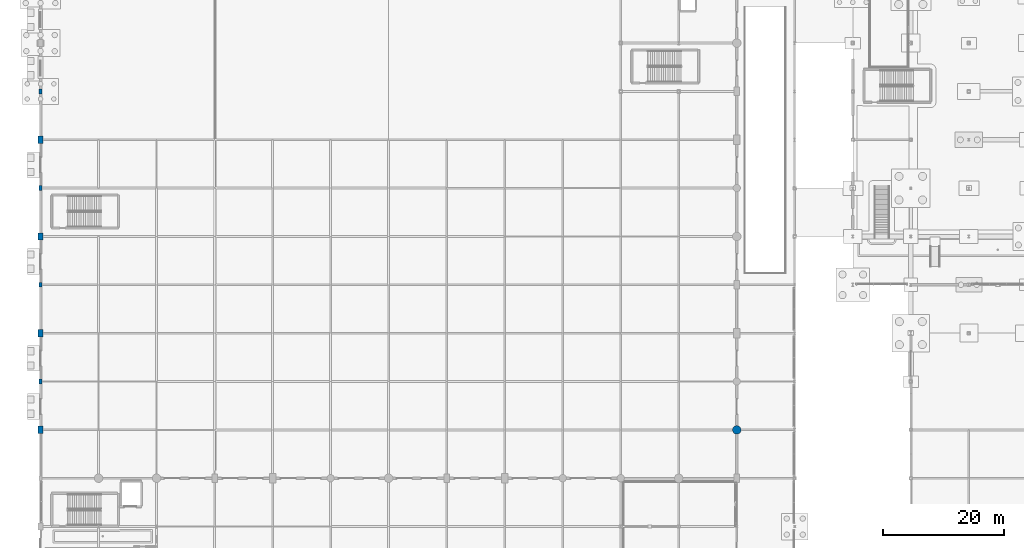
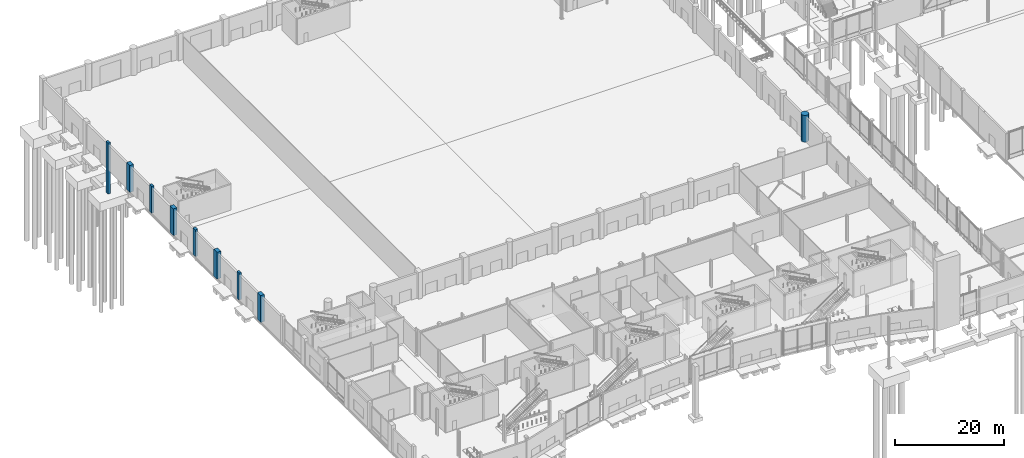
# One storey, part 14 of 124: 9 columns.
"""IFC4 building model written with IfcOpenShell, lengths in metres."""

from ifc_helpers import new_model, si_unit, direction, frame, origin, origin_2d, place, context, subcontext, project, spatial, rectangle, circle, extrude, material, material_profile, profile_set, type_object, element, save


model = new_model("IFC4")

# Units and contexts
model_context = context("Model", 3, precision=1e-05, world=origin(), true_north=direction((0.0, 1.0)))
body_context = subcontext(model_context, "Body", "Model", "MODEL_VIEW")
ifc_project = project(units=[si_unit("LENGTHUNIT", "METRE"), si_unit("AREAUNIT", "SQUARE_METRE"), si_unit("VOLUMEUNIT", "CUBIC_METRE"), si_unit("PLANEANGLEUNIT", "RADIAN"), si_unit("MASSUNIT", "GRAM", prefix="KILO")], contexts=[model_context])

# Site, building, storey
site_placement = place(None, origin())
site = spatial("IfcSite", under=ifc_project, at=site_placement, CompositionType="ELEMENT")
building_placement = place(site_placement, origin())
building = spatial("IfcBuilding", under=site, at=building_placement, Name="Danafjord Basin Convention Centre", CompositionType="ELEMENT")
storey_placement = place(building_placement, origin())
storey = spatial("IfcBuildingStorey", under=building, at=storey_placement, Name="L00", CompositionType="ELEMENT", Elevation=0.0)

# Columns
ifc_material_1 = material(Name="Precast concrete C45/55", Category="concrete")
ifc_material_profile_1 = material_profile(ifc_material_1, rectangle(XDim=0.800048828125, YDim=1.199951171875, at=origin_2d()), Name="RC 1200x800")
ifc_profile_set_1 = profile_set([ifc_material_profile_1], Name="Precast concrete C45/55")
column_type_1 = type_object("IfcColumnType", Name="COL-C-PIL1200", PredefinedType="PILASTER", material=ifc_profile_set_1)
for number, where, z_axis, x_axis, name in (
    (1, (0.0, 64.0, 0.0), (0.0, 0.0, 1.0), (1.0, 0.0, 0.0), "L00 column C-PIL1200 at (0.0, 64.0)"),
    (2, (0.0, 80.0, 0.0), (0.0, 0.0, 1.0), (1.0, 0.0, 0.0), "L00 column C-PIL1200 at (0.0, 80.0)"),
    (3, (0.0, 96.0, 0.0), (0.0, 0.0, 1.0), (1.0, 0.0, 0.0), "L00 column C-PIL1200 at (0.0, 96.0)"),
    (4, (0.0, 112.0, 0.0), (0.0, 0.0, 1.0), (1.0, 0.0, 0.0), "L00 column C-PIL1200 at (0.0, 112.0)"),
):
    element("IfcColumn", number, at=place(storey_placement, frame(where, z_axis=z_axis, x_axis=x_axis)), inside=storey, type_object=column_type_1, Name=name, PredefinedType="PILASTER", context=body_context, shape_type="SweptSolid", body=[
        extrude(rectangle(XDim=0.800048828125, YDim=1.199951171875, at=origin_2d()), origin(), (0.0, 0.0, 1.0), 6.0),
    ])
ifc_material_profile_2 = material_profile(ifc_material_1, rectangle(XDim=0.5, YDim=0.800048828125, at=origin_2d()), Name="PCB 500x800")
ifc_profile_set_2 = profile_set([ifc_material_profile_2], Name="Precast concrete C45/55")
column_type_2 = type_object("IfcColumnType", Name="COL-C-PIL800", PredefinedType="PILASTER", material=ifc_profile_set_2)
for number, where, z_axis, x_axis, name in (
    (5, (0.0, 72.0, 0.0), (0.0, 0.0, 1.0), (1.0, 0.0, 0.0), "L00 column C-PIL800 at (0.0, 72.0)"),
    (6, (0.0, 88.0, 0.0), (0.0, 0.0, 1.0), (1.0, 0.0, 0.0), "L00 column C-PIL800 at (0.0, 88.0)"),
    (7, (0.0, 104.0, 0.0), (0.0, 0.0, 1.0), (1.0, 0.0, 0.0), "L00 column C-PIL800 at (0.0, 104.0)"),
):
    element("IfcColumn", number, at=place(storey_placement, frame(where, z_axis=z_axis, x_axis=x_axis)), inside=storey, type_object=column_type_2, Name=name, PredefinedType="PILASTER", context=body_context, shape_type="SweptSolid", body=[
        extrude(rectangle(XDim=0.5, YDim=0.800048828125, at=origin_2d()), origin(), (0.0, 0.0, 1.0), 6.0),
    ])
column_1_placement = place(storey_placement, frame((0.0, 120.0, -5.39990234375), z_axis=(0.0, 0.0, 1.0), x_axis=(1.0, 0.0, 0.0)))
element("IfcColumn", 8, at=column_1_placement, inside=storey, type_object=column_type_2, Name="L00 column C-PIL800 at (0.0, 120.0)", PredefinedType="PILASTER", context=body_context, shape_type="SweptSolid", body=[
    extrude(rectangle(XDim=0.5, YDim=0.800048828125, at=origin_2d()), origin(), (0.0, 0.0, 1.0), 11.39990234375),
])
ifc_material_2 = material(Name="Concrete C50/60", Category="concrete")
ifc_material_profile_3 = material_profile(ifc_material_2, circle(Radius=0.699951171875, at=origin_2d()), Name="RC D1400")
ifc_profile_set_3 = profile_set([ifc_material_profile_3], Name="Concrete C50/60")
column_type_3 = type_object("IfcColumnType", Name="COL-C-RCD1400", PredefinedType="COLUMN", material=ifc_profile_set_3)
column_2_placement = place(storey_placement, frame((115.199951171875, 64.0, 0.0), z_axis=(0.0, 0.0, 1.0), x_axis=(1.0, 0.0, 0.0)))
element("IfcColumn", 9, at=column_2_placement, inside=storey, type_object=column_type_3, Name="L00 column C-RCD1400 at (115.2, 64.0)", PredefinedType="COLUMN", context=body_context, shape_type="SweptSolid", body=[
    extrude(circle(Radius=0.699951171875, at=origin_2d()), origin(), (0.0, 0.0, 1.0), 6.0),
])

save(model, "model.ifc")
